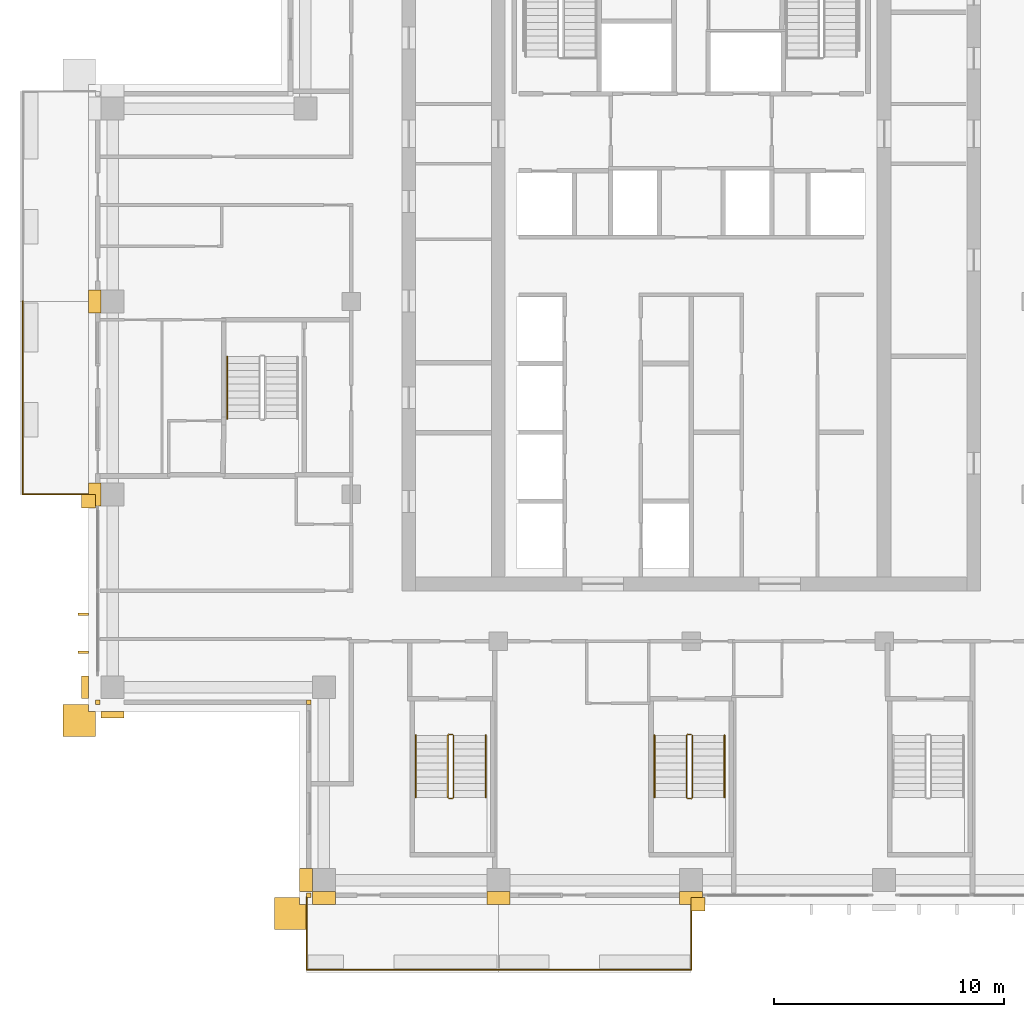
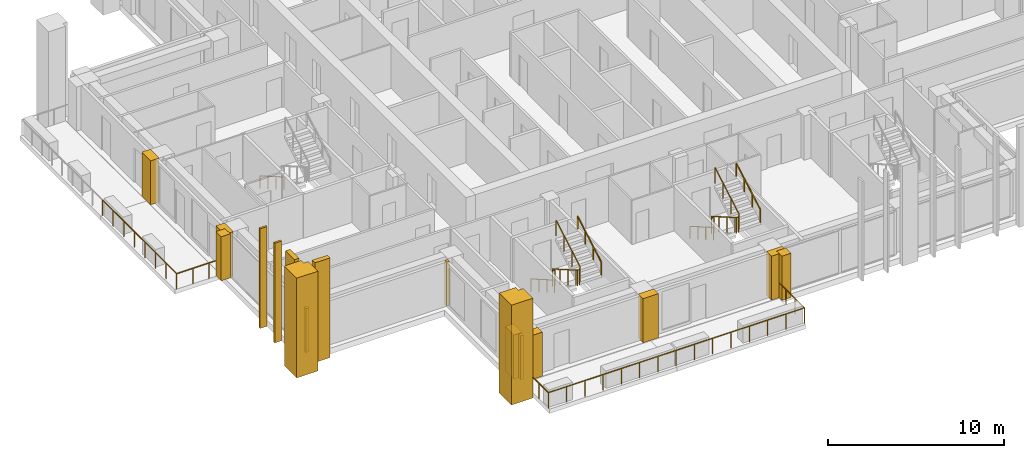
# One storey, part 14 of 17: 17 coverings, 10 railings.
"""IFC4 building model written with IfcOpenShell, lengths in metres."""

from ifc_helpers import new_model, si_unit, direction, frame, origin, origin_2d, place, context, subcontext, project, spatial, polyline, rectangle, outline, extrude, material, layer, layer_set, type_object, element, save


model = new_model("IFC4")

# Units and contexts
model_context = context("Model", 3, precision=1e-05, world=origin(), true_north=direction((0.0, 1.0)))
body_context = subcontext(model_context, "Body", "Model", "MODEL_VIEW")
ifc_project = project(units=[si_unit("LENGTHUNIT", "METRE"), si_unit("AREAUNIT", "SQUARE_METRE"), si_unit("VOLUMEUNIT", "CUBIC_METRE"), si_unit("PLANEANGLEUNIT", "RADIAN"), si_unit("MASSUNIT", "GRAM", prefix="KILO")], contexts=[model_context])

# Site, building, storey
site_placement = place(None, origin())
site = spatial("IfcSite", under=ifc_project, at=site_placement, CompositionType="ELEMENT")
building_placement = place(site_placement, origin())
building = spatial("IfcBuilding", under=site, at=building_placement, Name="Vermilion Ogive Tower", CompositionType="ELEMENT")
storey_placement = place(building_placement, frame((0.0, 0.0, 192.800048828125)))
storey = spatial("IfcBuildingStorey", under=building, at=storey_placement, Name="L50", CompositionType="ELEMENT", Elevation=192.800048828125)

# Railings
ifc_material_1 = material(Name="Stainless steel and glass", Category="steel")
railing_type_1 = type_object("IfcRailingType", Name="Balcony guard", PredefinedType="GUARDRAIL", material=ifc_material_1)
railing_1_placement = place(storey_placement, frame((-16.75, -21.75, -0.0400390625)))
element("IfcRailing", 1, at=railing_1_placement, inside=storey, type_object=railing_type_1, Name="Guard S01", PredefinedType="GUARDRAIL", context=body_context, shape_type="SweptSolid", body=[
    extrude(rectangle(XDim=0.048095703125, YDim=0.048095703125, at=origin_2d()), frame((0.0, 0.0, 1.076171875), z_axis=(0.0, -1.0, 0.0), x_axis=(1.0, 0.0, 0.0)), (0.0, 0.0, 1.0), 3.159912109375),
    extrude(rectangle(XDim=0.048095703125, YDim=0.048095703125, at=origin_2d()), frame((0.0, -3.159912109375, 1.076171875), z_axis=(1.0, 0.0, 0.0), x_axis=(0.0, 1.0, 0.0)), (0.0, 0.0, 1.0), 8.35009765625),
    extrude(rectangle(XDim=0.0419921875, YDim=0.0419921875, at=origin_2d()), origin(), (0.0, 0.0, 1.0), 1.052001953125),
    extrude(rectangle(XDim=0.0419921875, YDim=0.0419921875, at=origin_2d()), frame((0.0, -1.05322265625, 0.0)), (0.0, 0.0, 1.0), 1.052001953125),
    extrude(rectangle(XDim=0.0419921875, YDim=0.0419921875, at=origin_2d()), frame((0.0, -2.106689453125, 0.0)), (0.0, 0.0, 1.0), 1.052001953125),
    extrude(rectangle(XDim=0.0419921875, YDim=0.0419921875, at=origin_2d()), frame((0.0, -3.159912109375, 0.0)), (0.0, 0.0, 1.0), 1.052001953125),
    extrude(rectangle(XDim=0.0419921875, YDim=0.0419921875, at=origin_2d()), frame((1.19287109375, -3.159912109375, 0.0)), (0.0, 0.0, 1.0), 1.052001953125),
    extrude(rectangle(XDim=0.0419921875, YDim=0.0419921875, at=origin_2d()), frame((2.3857421875, -3.159912109375, 0.0)), (0.0, 0.0, 1.0), 1.052001953125),
    extrude(rectangle(XDim=0.0419921875, YDim=0.0419921875, at=origin_2d()), frame((3.57861328125, -3.159912109375, 0.0)), (0.0, 0.0, 1.0), 1.052001953125),
    extrude(rectangle(XDim=0.0419921875, YDim=0.0419921875, at=origin_2d()), frame((4.771484375, -3.159912109375, 0.0)), (0.0, 0.0, 1.0), 1.052001953125),
    extrude(rectangle(XDim=0.0419921875, YDim=0.0419921875, at=origin_2d()), frame((5.96435546875, -3.159912109375, 0.0)), (0.0, 0.0, 1.0), 1.052001953125),
    extrude(rectangle(XDim=0.0419921875, YDim=0.0419921875, at=origin_2d()), frame((7.1572265625, -3.159912109375, 0.0)), (0.0, 0.0, 1.0), 1.052001953125),
    extrude(rectangle(XDim=0.0419921875, YDim=0.0419921875, at=origin_2d()), frame((8.35009765625, -3.159912109375, 0.0)), (0.0, 0.0, 1.0), 1.052001953125),
])
railing_2_placement = place(storey_placement, frame((-8.39990234375, -24.909912109375, -0.0400390625)))
element("IfcRailing", 2, at=railing_2_placement, inside=storey, type_object=railing_type_1, Name="Guard S02", PredefinedType="GUARDRAIL", context=body_context, shape_type="SweptSolid", body=[
    extrude(rectangle(XDim=0.048095703125, YDim=0.048095703125, at=origin_2d()), frame((0.0, 0.0, 1.076171875), z_axis=(1.0, 0.0, 0.0), x_axis=(0.0, 1.0, 0.0)), (0.0, 0.0, 1.0), 8.39990234375),
    extrude(rectangle(XDim=0.048095703125, YDim=0.048095703125, at=origin_2d()), frame((8.39990234375, 0.0, 1.076171875), z_axis=(0.0, 1.0, 0.0), x_axis=(-1.0, 0.0, 0.0)), (0.0, 0.0, 1.0), 3.159912109375),
    extrude(rectangle(XDim=0.0419921875, YDim=0.0419921875, at=origin_2d()), origin(), (0.0, 0.0, 1.0), 1.052001953125),
    extrude(rectangle(XDim=0.0419921875, YDim=0.0419921875, at=origin_2d()), frame((1.199951171875, 0.0, 0.0)), (0.0, 0.0, 1.0), 1.052001953125),
    extrude(rectangle(XDim=0.0419921875, YDim=0.0419921875, at=origin_2d()), frame((2.39990234375, 0.0, 0.0)), (0.0, 0.0, 1.0), 1.052001953125),
    extrude(rectangle(XDim=0.0419921875, YDim=0.0419921875, at=origin_2d()), frame((3.599853515625, 0.0, 0.0)), (0.0, 0.0, 1.0), 1.052001953125),
    extrude(rectangle(XDim=0.0419921875, YDim=0.0419921875, at=origin_2d()), frame((4.800048828125, 0.0, 0.0)), (0.0, 0.0, 1.0), 1.052001953125),
    extrude(rectangle(XDim=0.0419921875, YDim=0.0419921875, at=origin_2d()), frame((6.0, 0.0, 0.0)), (0.0, 0.0, 1.0), 1.052001953125),
    extrude(rectangle(XDim=0.0419921875, YDim=0.0419921875, at=origin_2d()), frame((7.199951171875, 0.0, 0.0)), (0.0, 0.0, 1.0), 1.052001953125),
    extrude(rectangle(XDim=0.0419921875, YDim=0.0419921875, at=origin_2d()), frame((8.39990234375, 0.0, 0.0)), (0.0, 0.0, 1.0), 1.052001953125),
    extrude(rectangle(XDim=0.0419921875, YDim=0.0419921875, at=origin_2d()), frame((8.39990234375, 1.05322265625, 0.0)), (0.0, 0.0, 1.0), 1.052001953125),
    extrude(rectangle(XDim=0.0419921875, YDim=0.0419921875, at=origin_2d()), frame((8.39990234375, 2.106689453125, 0.0)), (0.0, 0.0, 1.0), 1.052001953125),
    extrude(rectangle(XDim=0.0419921875, YDim=0.0419921875, at=origin_2d()), frame((8.39990234375, 3.159912109375, 0.0)), (0.0, 0.0, 1.0), 1.052001953125),
])
railing_3_placement = place(storey_placement, frame((-29.110107421875, 4.199951171875, -0.0400390625)))
element("IfcRailing", 3, at=railing_3_placement, inside=storey, type_object=railing_type_1, Name="Guard W02", PredefinedType="GUARDRAIL", context=body_context, shape_type="SweptSolid", body=[
    extrude(rectangle(XDim=0.048095703125, YDim=0.048095703125, at=origin_2d()), frame((0.0, 0.0, 1.076171875), z_axis=(0.0, -1.0, 0.0), x_axis=(1.0, 0.0, 0.0)), (0.0, 0.0, 1.0), 8.39990234375),
    extrude(rectangle(XDim=0.048095703125, YDim=0.048095703125, at=origin_2d()), frame((0.0, -8.39990234375, 1.076171875), z_axis=(1.0, 0.0, 0.0), x_axis=(0.0, 1.0, 0.0)), (0.0, 0.0, 1.0), 3.16015625),
    extrude(rectangle(XDim=0.0419921875, YDim=0.0419921875, at=origin_2d()), origin(), (0.0, 0.0, 1.0), 1.052001953125),
    extrude(rectangle(XDim=0.0419921875, YDim=0.0419921875, at=origin_2d()), frame((0.0, -1.199951171875, 0.0)), (0.0, 0.0, 1.0), 1.052001953125),
    extrude(rectangle(XDim=0.0419921875, YDim=0.0419921875, at=origin_2d()), frame((0.0, -2.39990234375, 0.0)), (0.0, 0.0, 1.0), 1.052001953125),
    extrude(rectangle(XDim=0.0419921875, YDim=0.0419921875, at=origin_2d()), frame((0.0, -3.599853515625, 0.0)), (0.0, 0.0, 1.0), 1.052001953125),
    extrude(rectangle(XDim=0.0419921875, YDim=0.0419921875, at=origin_2d()), frame((0.0, -4.800048828125, 0.0)), (0.0, 0.0, 1.0), 1.052001953125),
    extrude(rectangle(XDim=0.0419921875, YDim=0.0419921875, at=origin_2d()), frame((0.0, -6.0, 0.0)), (0.0, 0.0, 1.0), 1.052001953125),
    extrude(rectangle(XDim=0.0419921875, YDim=0.0419921875, at=origin_2d()), frame((0.0, -7.199951171875, 0.0)), (0.0, 0.0, 1.0), 1.052001953125),
    extrude(rectangle(XDim=0.0419921875, YDim=0.0419921875, at=origin_2d()), frame((0.0, -8.39990234375, 0.0)), (0.0, 0.0, 1.0), 1.052001953125),
    extrude(rectangle(XDim=0.0419921875, YDim=0.0419921875, at=origin_2d()), frame((1.053466796875, -8.39990234375, 0.0)), (0.0, 0.0, 1.0), 1.052001953125),
    extrude(rectangle(XDim=0.0419921875, YDim=0.0419921875, at=origin_2d()), frame((2.106689453125, -8.39990234375, 0.0)), (0.0, 0.0, 1.0), 1.052001953125),
    extrude(rectangle(XDim=0.0419921875, YDim=0.0419921875, at=origin_2d()), frame((3.16015625, -8.39990234375, 0.0)), (0.0, 0.0, 1.0), 1.052001953125),
])

# Coverings
ifc_material_2 = material(Name="Glazed ceramic screen")
ifc_layer = layer(ifc_material_2, 0.14990234375)
ifc_layer_set = layer_set([ifc_layer], Name="Ceramic solar screen fin")
covering_type_1 = type_object("IfcCoveringType", Name="Ceramic solar screen fin", PredefinedType="CLADDING", material=ifc_layer_set)
covering_1_placement = place(storey_placement, frame((0.0, 0.0, -0.400146484375)))
element("IfcCovering", 4, at=covering_1_placement, inside=storey, type_object=covering_type_1, Name="Solar screen blade W971", PredefinedType="CLADDING", context=body_context, shape_type="SweptSolid", body=[
    extrude(outline(polyline([(-26.699951171875, -9.364990234375), (-26.699951171875, -9.485107421875), (-26.25, -9.485107421875), (-26.25, -9.364990234375), (-26.699951171875, -9.364990234375)])), origin(), (0.0, 0.0, 1.0), 6.900146484375),
])
covering_2_placement = place(storey_placement, frame((0.0, 0.0, -0.400146484375)))
element("IfcCovering", 5, at=covering_2_placement, inside=storey, type_object=covering_type_1, Name="Solar screen blade W972", PredefinedType="CLADDING", context=body_context, shape_type="SweptSolid", body=[
    extrude(outline(polyline([(-26.699951171875, -11.014892578125), (-26.699951171875, -11.135009765625), (-26.25, -11.135009765625), (-26.25, -11.014892578125), (-26.699951171875, -11.014892578125)])), origin(), (0.0, 0.0, 1.0), 6.900146484375),
])

# Railings
ifc_material_3 = material(Name="Steel S355 painted", Category="steel")
railing_type_2 = type_object("IfcRailingType", Name="Stair guard 1100", PredefinedType="GUARDRAIL", material=ifc_material_3)
railing_4_placement = place(storey_placement, frame((-10.39990234375, -14.64990234375, 0.0)))
element("IfcRailing", 6, at=railing_4_placement, inside=storey, type_object=railing_type_2, Name="L50 ST3 stair guard 4", PredefinedType="GUARDRAIL", context=body_context, shape_type="SweptSolid", body=[
    extrude(rectangle(XDim=0.048095703125, YDim=0.048095703125, at=origin_2d()), frame((0.0, 0.0, 1.076171875), z_axis=(-1.0, 0.0, 0.0), x_axis=(0.0, -1.0, 0.0)), (0.0, 0.0, 1.0), 0.150146484375),
    extrude(rectangle(XDim=0.048095703125, YDim=0.048095703125, at=origin_2d()), frame((-0.150146484375, 0.0, 1.076171875), z_axis=(-0.268603158521, -0.268603158521, 0.925043072762), x_axis=(0.707106781187, -0.707106781187, 0.0)), (0.0, 0.0, 1.0), 0.186279296875),
    extrude(rectangle(XDim=0.048095703125, YDim=0.048095703125, at=origin_2d()), frame((-0.2001953125, -0.050048828125, 1.24853515625), z_axis=(0.0, -0.866903762492, 0.498475542607), x_axis=(1.0, 0.0, 0.0)), (0.0, 0.0, 1.0), 3.114501953125),
    extrude(rectangle(XDim=0.048095703125, YDim=0.048095703125, at=origin_2d()), frame((-0.2001953125, -2.75, 2.80078125), z_axis=(0.707106781187, -0.707106781187, 0.0), x_axis=(0.707106781187, 0.707106781187, 0.0)), (0.0, 0.0, 1.0), 0.07080078125),
    extrude(rectangle(XDim=0.048095703125, YDim=0.048095703125, at=origin_2d()), frame((-0.150146484375, -2.800048828125, 2.80078125), z_axis=(1.0, 0.0, 0.0), x_axis=(0.0, 1.0, 0.0)), (0.0, 0.0, 1.0), 0.150146484375),
    extrude(rectangle(XDim=0.048095703125, YDim=0.048095703125, at=origin_2d()), frame((0.0, -2.800048828125, 2.80078125), z_axis=(0.267062837333, 0.268371968888, 0.925556009775), x_axis=(-0.708833529934, 0.705375805398, 0.0)), (0.0, 0.0, 1.0), 0.1865234375),
    extrude(rectangle(XDim=0.048095703125, YDim=0.048095703125, at=origin_2d()), frame((0.0498046875, -2.75, 2.9736328125), z_axis=(0.0, 0.866903762492, 0.498475542607), x_axis=(-1.0, 0.0, 0.0)), (0.0, 0.0, 1.0), 3.114501953125),
    extrude(rectangle(XDim=0.0419921875, YDim=0.0419921875, at=origin_2d()), origin(), (0.0, 0.0, 1.0), 1.052001953125),
    extrude(rectangle(XDim=0.0419921875, YDim=0.0419921875, at=origin_2d()), frame((-0.150146484375, 0.0, 0.0)), (0.0, 0.0, 1.0), 1.052001953125),
    extrude(rectangle(XDim=0.0419921875, YDim=0.0419921875, at=origin_2d()), frame((-0.2001953125, -0.050048828125, 0.17236328125)), (0.0, 0.0, 1.0), 1.052001953125),
    extrude(rectangle(XDim=0.0419921875, YDim=0.0419921875, at=origin_2d()), frame((-0.2001953125, -0.949951171875, 0.68994140625)), (0.0, 0.0, 1.0), 1.052001953125),
    extrude(rectangle(XDim=0.0419921875, YDim=0.0419921875, at=origin_2d()), frame((-0.2001953125, -1.85009765625, 1.207275390625)), (0.0, 0.0, 1.0), 1.052001953125),
    extrude(rectangle(XDim=0.0419921875, YDim=0.0419921875, at=origin_2d()), frame((-0.2001953125, -2.75, 1.724853515625)), (0.0, 0.0, 1.0), 1.052001953125),
    extrude(rectangle(XDim=0.0419921875, YDim=0.0419921875, at=origin_2d()), frame((-0.150146484375, -2.800048828125, 1.724853515625)), (0.0, 0.0, 1.0), 1.052001953125),
    extrude(rectangle(XDim=0.0419921875, YDim=0.0419921875, at=origin_2d()), frame((0.0, -2.800048828125, 1.724853515625)), (0.0, 0.0, 1.0), 1.052001953125),
    extrude(rectangle(XDim=0.0419921875, YDim=0.0419921875, at=origin_2d()), frame((0.0498046875, -2.75, 1.8974609375)), (0.0, 0.0, 1.0), 1.052001953125),
    extrude(rectangle(XDim=0.0419921875, YDim=0.0419921875, at=origin_2d()), frame((0.0498046875, -1.85009765625, 2.4150390625)), (0.0, 0.0, 1.0), 1.052001953125),
    extrude(rectangle(XDim=0.0419921875, YDim=0.0419921875, at=origin_2d()), frame((0.0498046875, -0.949951171875, 2.932373046875)), (0.0, 0.0, 1.0), 1.052001953125),
    extrude(rectangle(XDim=0.0419921875, YDim=0.0419921875, at=origin_2d()), frame((0.0498046875, -0.050048828125, 3.449951171875)), (0.0, 0.0, 1.0), 1.052001953125),
])
railing_5_placement = place(storey_placement, frame((0.0, -14.64990234375, 0.0)))
element("IfcRailing", 7, at=railing_5_placement, inside=storey, type_object=railing_type_2, Name="L50 ST4 stair guard 4", PredefinedType="GUARDRAIL", context=body_context, shape_type="SweptSolid", body=[
    extrude(rectangle(XDim=0.048095703125, YDim=0.048095703125, at=origin_2d()), frame((0.0, 0.0, 1.076171875), z_axis=(-1.0, 0.0, 0.0), x_axis=(0.0, -1.0, 0.0)), (0.0, 0.0, 1.0), 0.14990234375),
    extrude(rectangle(XDim=0.048095703125, YDim=0.048095703125, at=origin_2d()), frame((-0.14990234375, 0.0, 1.076171875), z_axis=(-0.268603158521, -0.268603158521, 0.925043072762), x_axis=(0.707106781187, -0.707106781187, 0.0)), (0.0, 0.0, 1.0), 0.186279296875),
    extrude(rectangle(XDim=0.048095703125, YDim=0.048095703125, at=origin_2d()), frame((-0.199951171875, -0.050048828125, 1.24853515625), z_axis=(0.0, -0.866903762492, 0.498475542607), x_axis=(1.0, 0.0, 0.0)), (0.0, 0.0, 1.0), 3.114501953125),
    extrude(rectangle(XDim=0.048095703125, YDim=0.048095703125, at=origin_2d()), frame((-0.199951171875, -2.75, 2.80078125), z_axis=(0.707106781187, -0.707106781187, 0.0), x_axis=(0.707106781187, 0.707106781187, 0.0)), (0.0, 0.0, 1.0), 0.07080078125),
    extrude(rectangle(XDim=0.048095703125, YDim=0.048095703125, at=origin_2d()), frame((-0.14990234375, -2.800048828125, 2.80078125), z_axis=(1.0, 0.0, 0.0), x_axis=(0.0, 1.0, 0.0)), (0.0, 0.0, 1.0), 0.14990234375),
    extrude(rectangle(XDim=0.048095703125, YDim=0.048095703125, at=origin_2d()), frame((0.0, -2.800048828125, 2.80078125), z_axis=(0.268277960024, 0.268277960024, 0.925231793839), x_axis=(-0.707106781187, 0.707106781187, 0.0)), (0.0, 0.0, 1.0), 0.1865234375),
    extrude(rectangle(XDim=0.048095703125, YDim=0.048095703125, at=origin_2d()), frame((0.050048828125, -2.75, 2.9736328125), z_axis=(0.0, 0.866903762492, 0.498475542607), x_axis=(-1.0, 0.0, 0.0)), (0.0, 0.0, 1.0), 3.114501953125),
    extrude(rectangle(XDim=0.0419921875, YDim=0.0419921875, at=origin_2d()), origin(), (0.0, 0.0, 1.0), 1.052001953125),
    extrude(rectangle(XDim=0.0419921875, YDim=0.0419921875, at=origin_2d()), frame((-0.14990234375, 0.0, 0.0)), (0.0, 0.0, 1.0), 1.052001953125),
    extrude(rectangle(XDim=0.0419921875, YDim=0.0419921875, at=origin_2d()), frame((-0.199951171875, -0.050048828125, 0.17236328125)), (0.0, 0.0, 1.0), 1.052001953125),
    extrude(rectangle(XDim=0.0419921875, YDim=0.0419921875, at=origin_2d()), frame((-0.199951171875, -0.949951171875, 0.68994140625)), (0.0, 0.0, 1.0), 1.052001953125),
    extrude(rectangle(XDim=0.0419921875, YDim=0.0419921875, at=origin_2d()), frame((-0.199951171875, -1.85009765625, 1.207275390625)), (0.0, 0.0, 1.0), 1.052001953125),
    extrude(rectangle(XDim=0.0419921875, YDim=0.0419921875, at=origin_2d()), frame((-0.199951171875, -2.75, 1.724853515625)), (0.0, 0.0, 1.0), 1.052001953125),
    extrude(rectangle(XDim=0.0419921875, YDim=0.0419921875, at=origin_2d()), frame((-0.14990234375, -2.800048828125, 1.724853515625)), (0.0, 0.0, 1.0), 1.052001953125),
    extrude(rectangle(XDim=0.0419921875, YDim=0.0419921875, at=origin_2d()), frame((0.0, -2.800048828125, 1.724853515625)), (0.0, 0.0, 1.0), 1.052001953125),
    extrude(rectangle(XDim=0.0419921875, YDim=0.0419921875, at=origin_2d()), frame((0.050048828125, -2.75, 1.8974609375)), (0.0, 0.0, 1.0), 1.052001953125),
    extrude(rectangle(XDim=0.0419921875, YDim=0.0419921875, at=origin_2d()), frame((0.050048828125, -1.85009765625, 2.4150390625)), (0.0, 0.0, 1.0), 1.052001953125),
    extrude(rectangle(XDim=0.0419921875, YDim=0.0419921875, at=origin_2d()), frame((0.050048828125, -0.949951171875, 2.932373046875)), (0.0, 0.0, 1.0), 1.052001953125),
    extrude(rectangle(XDim=0.0419921875, YDim=0.0419921875, at=origin_2d()), frame((0.050048828125, -0.050048828125, 3.449951171875)), (0.0, 0.0, 1.0), 1.052001953125),
])
ifc_material_4 = material(Name="Stainless steel", Category="steel")
railing_type_3 = type_object("IfcRailingType", Name="Stair handrail 900", PredefinedType="HANDRAIL", material=ifc_material_4)
railing_6_placement = place(storey_placement, frame((-12.0, -14.699951171875, 0.17236328125)))
element("IfcRailing", 8, at=railing_6_placement, inside=storey, type_object=railing_type_3, Name="L50 ST3 stair handrail 1", PredefinedType="HANDRAIL", context=body_context, shape_type="SweptSolid", body=[
    extrude(rectangle(XDim=0.048095703125, YDim=0.048095703125, at=origin_2d()), frame((0.0, 0.0, 0.8759765625), z_axis=(0.0, -0.866903762492, 0.498475542607), x_axis=(1.0, 0.0, 0.0)), (0.0, 0.0, 1.0), 3.114501953125),
    extrude(rectangle(XDim=0.0419921875, YDim=0.0419921875, at=origin_2d()), origin(), (0.0, 0.0, 1.0), 0.851806640625),
    extrude(rectangle(XDim=0.0419921875, YDim=0.0419921875, at=origin_2d()), frame((0.0, -0.89990234375, 0.517578125)), (0.0, 0.0, 1.0), 0.851806640625),
    extrude(rectangle(XDim=0.0419921875, YDim=0.0419921875, at=origin_2d()), frame((0.0, -1.800048828125, 1.034912109375)), (0.0, 0.0, 1.0), 0.851806640625),
    extrude(rectangle(XDim=0.0419921875, YDim=0.0419921875, at=origin_2d()), frame((0.0, -2.699951171875, 1.552490234375)), (0.0, 0.0, 1.0), 0.851806640625),
])
railing_7_placement = place(storey_placement, frame((-8.949951171875, -17.39990234375, 1.8974609375)))
element("IfcRailing", 9, at=railing_7_placement, inside=storey, type_object=railing_type_3, Name="L50 ST3 stair handrail 2", PredefinedType="HANDRAIL", context=body_context, shape_type="SweptSolid", body=[
    extrude(rectangle(XDim=0.048095703125, YDim=0.048095703125, at=origin_2d()), frame((0.0, 0.0, 0.8759765625), z_axis=(0.0, 0.866903762492, 0.498475542607), x_axis=(-1.0, 0.0, 0.0)), (0.0, 0.0, 1.0), 3.114501953125),
    extrude(rectangle(XDim=0.0419921875, YDim=0.0419921875, at=origin_2d()), origin(), (0.0, 0.0, 1.0), 0.851806640625),
    extrude(rectangle(XDim=0.0419921875, YDim=0.0419921875, at=origin_2d()), frame((0.0, 0.89990234375, 0.517578125)), (0.0, 0.0, 1.0), 0.851806640625),
    extrude(rectangle(XDim=0.0419921875, YDim=0.0419921875, at=origin_2d()), frame((0.0, 1.800048828125, 1.034912109375)), (0.0, 0.0, 1.0), 0.851806640625),
    extrude(rectangle(XDim=0.0419921875, YDim=0.0419921875, at=origin_2d()), frame((0.0, 2.699951171875, 1.552490234375)), (0.0, 0.0, 1.0), 0.851806640625),
])
railing_8_placement = place(storey_placement, frame((-1.60009765625, -14.699951171875, 0.17236328125)))
element("IfcRailing", 10, at=railing_8_placement, inside=storey, type_object=railing_type_3, Name="L50 ST4 stair handrail 1", PredefinedType="HANDRAIL", context=body_context, shape_type="SweptSolid", body=[
    extrude(rectangle(XDim=0.048095703125, YDim=0.048095703125, at=origin_2d()), frame((0.0, 0.0, 0.8759765625), z_axis=(0.0, -0.866903762492, 0.498475542607), x_axis=(1.0, 0.0, 0.0)), (0.0, 0.0, 1.0), 3.114501953125),
    extrude(rectangle(XDim=0.0419921875, YDim=0.0419921875, at=origin_2d()), origin(), (0.0, 0.0, 1.0), 0.851806640625),
    extrude(rectangle(XDim=0.0419921875, YDim=0.0419921875, at=origin_2d()), frame((0.0, -0.89990234375, 0.517578125)), (0.0, 0.0, 1.0), 0.851806640625),
    extrude(rectangle(XDim=0.0419921875, YDim=0.0419921875, at=origin_2d()), frame((0.0, -1.800048828125, 1.034912109375)), (0.0, 0.0, 1.0), 0.851806640625),
    extrude(rectangle(XDim=0.0419921875, YDim=0.0419921875, at=origin_2d()), frame((0.0, -2.699951171875, 1.552490234375)), (0.0, 0.0, 1.0), 0.851806640625),
])
railing_9_placement = place(storey_placement, frame((1.449951171875, -17.39990234375, 1.8974609375)))
element("IfcRailing", 11, at=railing_9_placement, inside=storey, type_object=railing_type_3, Name="L50 ST4 stair handrail 2", PredefinedType="HANDRAIL", context=body_context, shape_type="SweptSolid", body=[
    extrude(rectangle(XDim=0.048095703125, YDim=0.048095703125, at=origin_2d()), frame((0.0, 0.0, 0.8759765625), z_axis=(0.0, 0.866903762492, 0.498475542607), x_axis=(-1.0, 0.0, 0.0)), (0.0, 0.0, 1.0), 3.114501953125),
    extrude(rectangle(XDim=0.0419921875, YDim=0.0419921875, at=origin_2d()), origin(), (0.0, 0.0, 1.0), 0.851806640625),
    extrude(rectangle(XDim=0.0419921875, YDim=0.0419921875, at=origin_2d()), frame((0.0, 0.89990234375, 0.517578125)), (0.0, 0.0, 1.0), 0.851806640625),
    extrude(rectangle(XDim=0.0419921875, YDim=0.0419921875, at=origin_2d()), frame((0.0, 1.800048828125, 1.034912109375)), (0.0, 0.0, 1.0), 0.851806640625),
    extrude(rectangle(XDim=0.0419921875, YDim=0.0419921875, at=origin_2d()), frame((0.0, 2.699951171875, 1.552490234375)), (0.0, 0.0, 1.0), 0.851806640625),
])
railing_10_placement = place(storey_placement, frame((-20.199951171875, 1.800048828125, 0.17236328125)))
element("IfcRailing", 12, at=railing_10_placement, inside=storey, type_object=railing_type_3, Name="L50 ST9 stair handrail 1", PredefinedType="HANDRAIL", context=body_context, shape_type="SweptSolid", body=[
    extrude(rectangle(XDim=0.048095703125, YDim=0.048095703125, at=origin_2d()), frame((0.0, 0.0, 0.8759765625), z_axis=(0.0, -0.866903762492, 0.498475542607), x_axis=(1.0, 0.0, 0.0)), (0.0, 0.0, 1.0), 3.114501953125),
    extrude(rectangle(XDim=0.0419921875, YDim=0.0419921875, at=origin_2d()), origin(), (0.0, 0.0, 1.0), 0.851806640625),
    extrude(rectangle(XDim=0.0419921875, YDim=0.0419921875, at=origin_2d()), frame((0.0, -0.89990234375, 0.517578125)), (0.0, 0.0, 1.0), 0.851806640625),
    extrude(rectangle(XDim=0.0419921875, YDim=0.0419921875, at=origin_2d()), frame((0.0, -1.800048828125, 1.034912109375)), (0.0, 0.0, 1.0), 0.851806640625),
    extrude(rectangle(XDim=0.0419921875, YDim=0.0419921875, at=origin_2d()), frame((0.0, -2.699951171875, 1.552490234375)), (0.0, 0.0, 1.0), 0.851806640625),
])

# Coverings
ifc_material_5 = material(Name="Stone cladding", Category="masonry")
covering_type_2 = type_object("IfcCoveringType", Name="Stone corner buttress", PredefinedType="CLADDING", material=ifc_material_5)
covering_3_placement = place(storey_placement, origin())
element("IfcCovering", 13, at=covering_3_placement, inside=storey, type_object=covering_type_2, Name="Stone crease pier SK", PredefinedType="CLADDING", context=body_context, shape_type="SweptSolid", body=[
    extrude(outline(polyline([(0.0, -22.35009765625), (0.60009765625, -22.35009765625), (0.60009765625, -21.75), (0.0, -21.75), (0.0, -22.35009765625)])), origin(), (0.0, 0.0, 1.0), 3.050048828125),
])
covering_4_placement = place(storey_placement, origin())
element("IfcCovering", 14, at=covering_4_placement, inside=storey, type_object=covering_type_2, Name="Stone crease pier WK", PredefinedType="CLADDING", context=body_context, shape_type="SweptSolid", body=[
    extrude(outline(polyline([(-26.550048828125, -4.199951171875), (-26.550048828125, -4.800048828125), (-25.949951171875, -4.800048828125), (-25.949951171875, -4.199951171875), (-26.550048828125, -4.199951171875)])), origin(), (0.0, 0.0, 1.0), 3.050048828125),
])
covering_5_placement = place(storey_placement, frame((0.0, 0.0, -0.400146484375)))
element("IfcCovering", 15, at=covering_5_placement, inside=storey, type_object=covering_type_2, Name="Stone corner buttress S1", PredefinedType="CLADDING", context=body_context, shape_type="SweptSolid", body=[
    extrude(outline(polyline([(-17.050048828125, -22.050048828125), (-16.75, -22.050048828125), (-16.75, -23.14990234375), (-18.14990234375, -23.14990234375), (-18.14990234375, -21.75), (-17.050048828125, -21.75), (-17.050048828125, -22.050048828125)])), origin(), (0.0, 0.0, 1.0), 6.900146484375),
])
covering_6_placement = place(storey_placement, frame((0.0, 0.0, -0.400146484375)))
element("IfcCovering", 16, at=covering_6_placement, inside=storey, type_object=covering_type_2, Name="Stone corner buttress X71", PredefinedType="CLADDING", context=body_context, shape_type="SweptSolid", body=[
    extrude(outline(polyline([(-26.25, -13.35009765625), (-26.25, -13.64990234375), (-25.949951171875, -13.64990234375), (-25.949951171875, -14.75), (-27.35009765625, -14.75), (-27.35009765625, -13.35009765625), (-26.25, -13.35009765625)])), origin(), (0.0, 0.0, 1.0), 6.900146484375),
])
ifc_material_6 = material(Name="Stone cladding", Category="masonry")
covering_type_3 = type_object("IfcCoveringType", Name="Stone pier", PredefinedType="CLADDING", material=ifc_material_6)
covering_7_placement = place(storey_placement, origin())
element("IfcCovering", 17, at=covering_7_placement, inside=storey, type_object=covering_type_3, Name="Stone corner pier WE1", PredefinedType="CLADDING", context=body_context, shape_type="SweptSolid", body=[
    extrude(outline(polyline([(-25.75, -13.14990234375), (-25.75, -13.35009765625), (-25.949951171875, -13.35009765625), (-25.949951171875, -13.14990234375), (-25.75, -13.14990234375)])), origin(), (0.0, 0.0, 1.0), 3.050048828125),
])
covering_8_placement = place(storey_placement, origin())
element("IfcCovering", 18, at=covering_8_placement, inside=storey, type_object=covering_type_3, Name="Stone corner pier X7E1", PredefinedType="CLADDING", context=body_context, shape_type="SweptSolid", body=[
    extrude(outline(polyline([(-16.550048828125, -13.14990234375), (-16.550048828125, -13.35009765625), (-16.75, -13.35009765625), (-16.75, -13.14990234375), (-16.550048828125, -13.14990234375)])), origin(), (0.0, 0.0, 1.0), 3.050048828125),
])
covering_9_placement = place(storey_placement, origin())
element("IfcCovering", 19, at=covering_9_placement, inside=storey, type_object=covering_type_3, Name="Stone corner pier X8E1", PredefinedType="CLADDING", context=body_context, shape_type="SweptSolid", body=[
    extrude(outline(polyline([(-16.550048828125, -21.550048828125), (-16.550048828125, -21.75), (-16.75, -21.75), (-16.75, -21.550048828125), (-16.550048828125, -21.550048828125)])), origin(), (0.0, 0.0, 1.0), 3.050048828125),
])
covering_10_placement = place(storey_placement, frame((0.0, 0.0, -0.400146484375)))
element("IfcCovering", 20, at=covering_10_placement, inside=storey, type_object=covering_type_3, Name="Stone pier P-0252-126W", PredefinedType="CLADDING", context=body_context, shape_type="SweptSolid", body=[
    extrude(outline(polyline([(-26.550048828125, -13.10009765625), (-26.550048828125, -12.10009765625), (-26.25, -12.10009765625), (-26.25, -13.10009765625), (-26.550048828125, -13.10009765625)])), origin(), (0.0, 0.0, 1.0), 6.900146484375),
])
covering_11_placement = place(storey_placement, frame((0.0, 0.0, -0.400146484375)))
element("IfcCovering", 21, at=covering_11_placement, inside=storey, type_object=covering_type_3, Name="Stone pier P-0252-126X7", PredefinedType="CLADDING", context=body_context, shape_type="SweptSolid", body=[
    extrude(outline(polyline([(-25.699951171875, -13.949951171875), (-25.699951171875, -13.64990234375), (-24.699951171875, -13.64990234375), (-24.699951171875, -13.949951171875), (-25.699951171875, -13.949951171875)])), origin(), (0.0, 0.0, 1.0), 6.900146484375),
])
covering_12_placement = place(storey_placement, origin())
element("IfcCovering", 22, at=covering_12_placement, inside=storey, type_object=covering_type_3, Name="Stone pier P+0000-210", PredefinedType="CLADDING", context=body_context, shape_type="SweptSolid", body=[
    extrude(outline(polyline([(0.5, -21.75), (0.0, -21.75), (0.0, -22.050048828125), (-0.5, -22.050048828125), (-0.5, -21.5), (0.5, -21.5), (0.5, -21.75)])), origin(), (0.0, 0.0, 1.0), 3.050048828125),
])
covering_13_placement = place(storey_placement, origin())
element("IfcCovering", 23, at=covering_13_placement, inside=storey, type_object=covering_type_3, Name="Stone pier P-0084-210", PredefinedType="CLADDING", context=body_context, shape_type="SweptSolid", body=[
    extrude(outline(polyline([(-7.89990234375, -22.050048828125), (-8.89990234375, -22.050048828125), (-8.89990234375, -21.5), (-7.89990234375, -21.5), (-7.89990234375, -22.050048828125)])), origin(), (0.0, 0.0, 1.0), 3.050048828125),
])
covering_14_placement = place(storey_placement, origin())
element("IfcCovering", 24, at=covering_14_placement, inside=storey, type_object=covering_type_3, Name="Stone pier P-0160-210S", PredefinedType="CLADDING", context=body_context, shape_type="SweptSolid", body=[
    extrude(outline(polyline([(-15.5, -22.050048828125), (-16.5, -22.050048828125), (-16.5, -21.5), (-15.5, -21.5), (-15.5, -22.050048828125)])), origin(), (0.0, 0.0, 1.0), 3.050048828125),
])
covering_15_placement = place(storey_placement, origin())
element("IfcCovering", 25, at=covering_15_placement, inside=storey, type_object=covering_type_3, Name="Stone pier P-0160-210X8", PredefinedType="CLADDING", context=body_context, shape_type="SweptSolid", body=[
    extrude(outline(polyline([(-17.050048828125, -20.5), (-16.5, -20.5), (-16.5, -21.5), (-17.050048828125, -21.5), (-17.050048828125, -20.5)])), origin(), (0.0, 0.0, 1.0), 3.050048828125),
])
covering_16_placement = place(storey_placement, origin())
element("IfcCovering", 26, at=covering_16_placement, inside=storey, type_object=covering_type_3, Name="Stone pier P-0252+042", PredefinedType="CLADDING", context=body_context, shape_type="SweptSolid", body=[
    extrude(outline(polyline([(-25.699951171875, 3.699951171875), (-26.25, 3.699951171875), (-26.25, 4.699951171875), (-25.699951171875, 4.699951171875), (-25.699951171875, 4.699951171875), (-25.699951171875, 3.699951171875)])), origin(), (0.0, 0.0, 1.0), 3.050048828125),
])
covering_17_placement = place(storey_placement, origin())
element("IfcCovering", 27, at=covering_17_placement, inside=storey, type_object=covering_type_3, Name="Stone pier P-0252-042", PredefinedType="CLADDING", context=body_context, shape_type="SweptSolid", body=[
    extrude(outline(polyline([(-25.699951171875, -4.699951171875), (-25.949951171875, -4.699951171875), (-25.949951171875, -4.199951171875), (-26.25, -4.199951171875), (-26.25, -3.699951171875), (-25.699951171875, -3.699951171875), (-25.699951171875, -4.699951171875), (-25.699951171875, -4.699951171875)])), origin(), (0.0, 0.0, 1.0), 3.050048828125),
])

save(model, "model.ifc")
